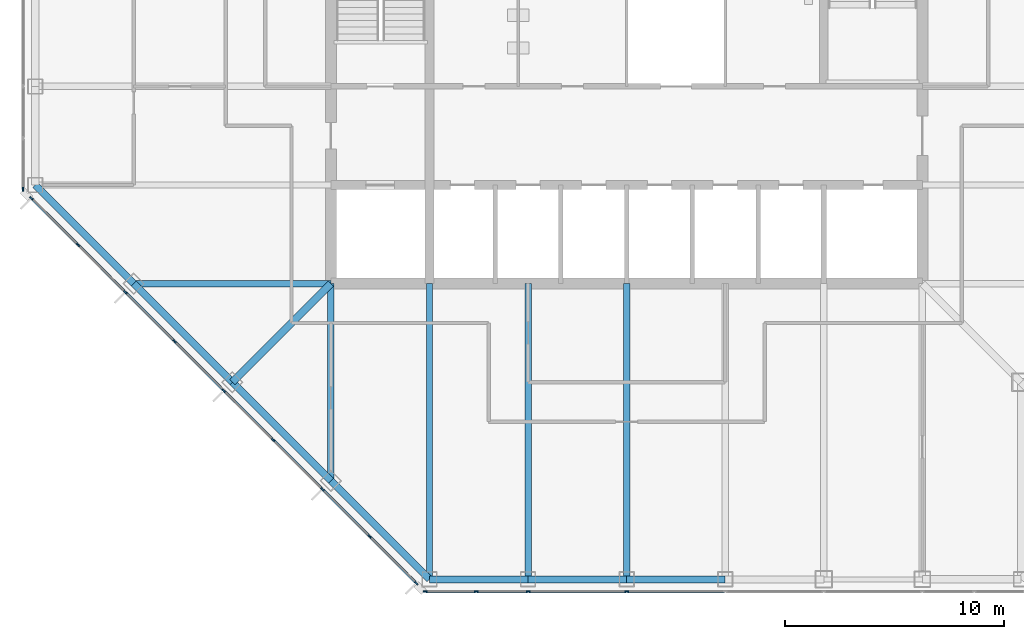
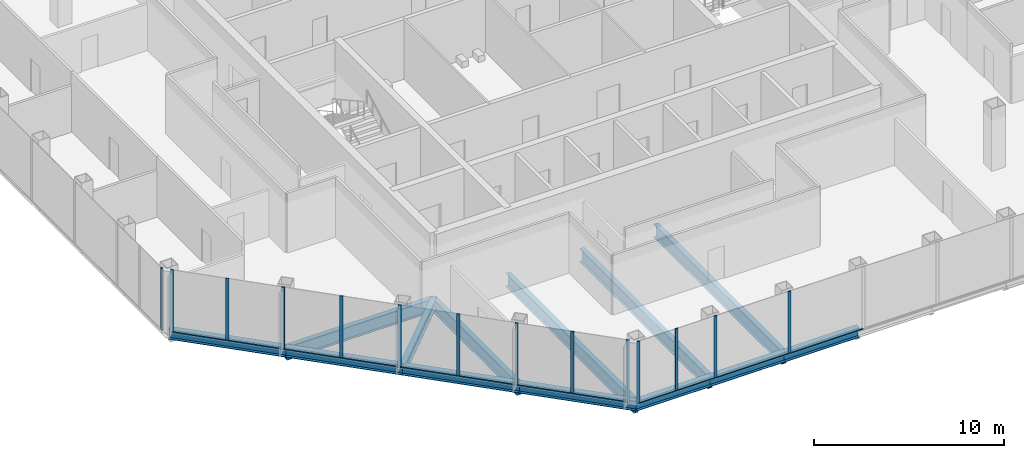
# One storey, part 2 of 13: 26 members, 13 beams, 3 elements without a shape of their own.
"""IFC4 building model written with IfcOpenShell, lengths in metres."""

from ifc_helpers import new_model, si_unit, direction, frame, origin, origin_2d, place, context, subcontext, project, spatial, rectangle, i_section, extrude, material, material_profile, profile_set, type_object, element, aggregate, save


model = new_model("IFC4")

# Units and contexts
model_context = context("Model", 3, precision=1e-05, world=origin(), true_north=direction((0.0, 1.0)))
body_context = subcontext(model_context, "Body", "Model", "MODEL_VIEW")
ifc_project = project(units=[si_unit("LENGTHUNIT", "METRE"), si_unit("AREAUNIT", "SQUARE_METRE"), si_unit("VOLUMEUNIT", "CUBIC_METRE"), si_unit("PLANEANGLEUNIT", "RADIAN"), si_unit("MASSUNIT", "GRAM", prefix="KILO")], contexts=[model_context])

# Site, building, storey
site_placement = place(None, origin())
site = spatial("IfcSite", under=ifc_project, at=site_placement, CompositionType="ELEMENT")
building_placement = place(site_placement, origin())
building = spatial("IfcBuilding", under=site, at=building_placement, Name="Corais Broadcast Tower", CompositionType="ELEMENT")
storey_placement = place(building_placement, frame((0.0, 0.0, 179.60009765625)))
storey = spatial("IfcBuildingStorey", under=building, at=storey_placement, Name="L41", CompositionType="ELEMENT", Elevation=179.60009765625)

# Beams
ifc_material_1 = material(Name="Steel ASTM A572 Grade 50", Category="steel")
ifc_material_profile_1 = material_profile(ifc_material_1, i_section(OverallWidth=0.323974609375, OverallDepth=0.611083984375, WebThickness=0.0126953125, FlangeThickness=0.01904296875, at=origin_2d()), Name="W610x155")
ifc_profile_set_1 = profile_set([ifc_material_profile_1], Name="Steel ASTM A572 Grade 50")
beam_type_1 = type_object("IfcBeamType", Name="Corner diagonal W610x155", PredefinedType="BEAM", material=ifc_profile_set_1)
beam_1_placement = place(storey_placement, frame((9.0, 9.0, -0.465576171875), z_axis=(0.707106781187, 0.707106781187, 0.0), x_axis=(-0.707106781187, 0.707106781187, 0.0)))
element("IfcBeam", 1, at=beam_1_placement, inside=storey, type_object=beam_type_1, Name="B6 C/5 to D/6", PredefinedType="BEAM", context=body_context, shape_type="SweptSolid", body=[
    extrude(i_section(OverallWidth=0.323974609375, OverallDepth=0.611083984375, WebThickness=0.0126953125, FlangeThickness=0.01904296875, at=origin_2d()), origin(), (0.0, 0.0, 1.0), 6.364013671875),
])
ifc_material_2 = material(Name="Steel ASTM A572 Grade 50", Category="steel")
ifc_material_profile_2 = material_profile(ifc_material_2, i_section(OverallWidth=0.2939453125, OverallDepth=0.85107421875, WebThickness=0.01611328125, FlangeThickness=0.02685546875, at=origin_2d()), Name="W840x226")
ifc_profile_set_2 = profile_set([ifc_material_profile_2], Name="Steel ASTM A572 Grade 50")
beam_type_2 = type_object("IfcBeamType", Name="Floor beam W840x226", PredefinedType="BEAM", material=ifc_profile_set_2)
beam_2_placement = place(storey_placement, frame((13.5, 4.5, -0.585693359375), z_axis=(0.0, 1.0, 0.0), x_axis=(-1.0, 0.0, 0.0)))
element("IfcBeam", 2, at=beam_2_placement, inside=storey, type_object=beam_type_2, Name="B1 B/6 to D/6", PredefinedType="BEAM", context=body_context, shape_type="SweptSolid", body=[
    extrude(i_section(OverallWidth=0.2939453125, OverallDepth=0.85107421875, WebThickness=0.01611328125, FlangeThickness=0.02685546875, at=origin_2d()), origin(), (0.0, 0.0, 1.0), 9.0),
])
for number, where, z_axis, x_axis, name in (
    (3, (18.0, 0.0, -0.585693359375), (0.0, 1.0, 0.0), (-1.0, 0.0, 0.0), "B1 A/7 to D/7"),
    (4, (22.5, 0.0, -0.585693359375), (0.0, 1.0, 0.0), (-1.0, 0.0, 0.0), "B1 A/8 to D/8"),
    (5, (27.0, 0.0, -0.585693359375), (0.0, 1.0, 0.0), (-1.0, 0.0, 0.0), "B1 A/9 to D/9"),
):
    element("IfcBeam", number, at=place(storey_placement, frame(where, z_axis=z_axis, x_axis=x_axis)), inside=storey, type_object=beam_type_2, Name=name, PredefinedType="BEAM", context=body_context, shape_type="SweptSolid", body=[
        extrude(i_section(OverallWidth=0.2939453125, OverallDepth=0.85107421875, WebThickness=0.01611328125, FlangeThickness=0.02685546875, at=origin_2d()), origin(), (0.0, 0.0, 1.0), 13.5),
    ])
beam_3_placement = place(storey_placement, frame((4.5, 13.5, -0.585693359375), z_axis=(1.0, 0.0, 0.0), x_axis=(0.0, 1.0, 0.0)))
element("IfcBeam", 6, at=beam_3_placement, inside=storey, type_object=beam_type_2, Name="B1 D/4 to D/6", PredefinedType="BEAM", context=body_context, shape_type="SweptSolid", body=[
    extrude(i_section(OverallWidth=0.2939453125, OverallDepth=0.85107421875, WebThickness=0.01611328125, FlangeThickness=0.02685546875, at=origin_2d()), origin(), (0.0, 0.0, 1.0), 9.0),
])

# Curtain wall, members
ifc_material_3 = material(Name="Aluminium and glass", Category="aluminium")
curtain_wall_type = type_object("IfcCurtainWallType", Name="Unitised fritted curtain wall CW2", PredefinedType="NOTDEFINED", material=ifc_material_3)
curtain_wall_1_placement = place(storey_placement, origin())
curtain_wall_1 = element("IfcCurtainWall", 7, at=curtain_wall_1_placement, inside=storey, type_object=curtain_wall_type, Name="CW2 curtain wall L41 1", PredefinedType="NOTDEFINED")
ifc_material_4 = material(Name="Aluminium 6063-T6", Category="aluminium")
ifc_material_profile_3 = material_profile(ifc_material_4, rectangle(XDim=0.06494140625, YDim=0.179931640625, at=origin_2d()), Name="Mullion CW2 65x180")
ifc_profile_set_3 = profile_set([ifc_material_profile_3], Name="Aluminium 6063-T6")
member_type_1 = type_object("IfcMemberType", Name="Mullion CW2 65x180", PredefinedType="MULLION", material=ifc_profile_set_3)
member_1_placement = place(storey_placement, frame((17.3955078125, -0.17333984375, 0.0), z_axis=(0.0, 0.0, 1.0), x_axis=(-0.707106781187, -0.707106781187, 0.0)))
member_1 = element("IfcMember", 8, at=member_1_placement, type_object=member_type_1, Name="CW2 mullion 1", PredefinedType="MULLION", context=body_context, shape_type="SweptSolid", body=[
    extrude(rectangle(XDim=0.06494140625, YDim=0.179931640625, at=origin_2d()), origin(), (0.0, 0.0, 1.0), 4.0),
])
member_2_placement = place(storey_placement, frame((15.264892578125, 1.957275390625, 0.0), z_axis=(0.0, 0.0, 1.0), x_axis=(-0.707106781187, -0.707106781187, 0.0)))
member_2 = element("IfcMember", 9, at=member_2_placement, type_object=member_type_1, Name="CW2 mullion 2", PredefinedType="MULLION", context=body_context, shape_type="SweptSolid", body=[
    extrude(rectangle(XDim=0.06494140625, YDim=0.179931640625, at=origin_2d()), origin(), (0.0, 0.0, 1.0), 4.0),
])
member_3_placement = place(storey_placement, frame((13.111083984375, 4.111083984375, 0.0), z_axis=(0.0, 0.0, 1.0), x_axis=(-0.707106781187, -0.707106781187, 0.0)))
member_3 = element("IfcMember", 10, at=member_3_placement, type_object=member_type_1, Name="CW2 mullion 3", PredefinedType="MULLION", context=body_context, shape_type="SweptSolid", body=[
    extrude(rectangle(XDim=0.06494140625, YDim=0.179931640625, at=origin_2d()), origin(), (0.0, 0.0, 1.0), 4.0),
])
member_4_placement = place(storey_placement, frame((10.861083984375, 6.361083984375, 0.0), z_axis=(0.0, 0.0, 1.0), x_axis=(-0.707106781187, -0.707106781187, 0.0)))
member_4 = element("IfcMember", 11, at=member_4_placement, type_object=member_type_1, Name="CW2 mullion 4", PredefinedType="MULLION", context=body_context, shape_type="SweptSolid", body=[
    extrude(rectangle(XDim=0.06494140625, YDim=0.179931640625, at=origin_2d()), origin(), (0.0, 0.0, 1.0), 4.0),
])
member_5_placement = place(storey_placement, frame((8.611083984375, 8.611083984375, 0.0), z_axis=(0.0, 0.0, 1.0), x_axis=(-0.707106781187, -0.707106781187, 0.0)))
member_5 = element("IfcMember", 12, at=member_5_placement, type_object=member_type_1, Name="CW2 mullion 5", PredefinedType="MULLION", context=body_context, shape_type="SweptSolid", body=[
    extrude(rectangle(XDim=0.06494140625, YDim=0.179931640625, at=origin_2d()), origin(), (0.0, 0.0, 1.0), 4.0),
])
member_6_placement = place(storey_placement, frame((6.361083984375, 10.861083984375, 0.0), z_axis=(0.0, 0.0, 1.0), x_axis=(-0.707106781187, -0.707106781187, 0.0)))
member_6 = element("IfcMember", 13, at=member_6_placement, type_object=member_type_1, Name="CW2 mullion 6", PredefinedType="MULLION", context=body_context, shape_type="SweptSolid", body=[
    extrude(rectangle(XDim=0.06494140625, YDim=0.179931640625, at=origin_2d()), origin(), (0.0, 0.0, 1.0), 4.0),
])
member_7_placement = place(storey_placement, frame((4.111083984375, 13.111083984375, 0.0), z_axis=(0.0, 0.0, 1.0), x_axis=(-0.707106781187, -0.707106781187, 0.0)))
member_7 = element("IfcMember", 14, at=member_7_placement, type_object=member_type_1, Name="CW2 mullion 7", PredefinedType="MULLION", context=body_context, shape_type="SweptSolid", body=[
    extrude(rectangle(XDim=0.06494140625, YDim=0.179931640625, at=origin_2d()), origin(), (0.0, 0.0, 1.0), 4.0),
])
member_8_placement = place(storey_placement, frame((1.957275390625, 15.264892578125, 0.0), z_axis=(0.0, 0.0, 1.0), x_axis=(-0.707106781187, -0.707106781187, 0.0)))
member_8 = element("IfcMember", 15, at=member_8_placement, type_object=member_type_1, Name="CW2 mullion 8", PredefinedType="MULLION", context=body_context, shape_type="SweptSolid", body=[
    extrude(rectangle(XDim=0.06494140625, YDim=0.179931640625, at=origin_2d()), origin(), (0.0, 0.0, 1.0), 4.0),
])
member_9_placement = place(storey_placement, frame((-0.17333984375, 17.3955078125, 0.0), z_axis=(0.0, 0.0, 1.0), x_axis=(-0.707106781187, -0.707106781187, 0.0)))
member_9 = element("IfcMember", 16, at=member_9_placement, type_object=member_type_1, Name="CW2 mullion 9", PredefinedType="MULLION", context=body_context, shape_type="SweptSolid", body=[
    extrude(rectangle(XDim=0.06494140625, YDim=0.179931640625, at=origin_2d()), origin(), (0.0, 0.0, 1.0), 4.0),
])

# Curtain wall, member
curtain_wall_2_placement = place(storey_placement, origin())
curtain_wall_2 = element("IfcCurtainWall", 17, at=curtain_wall_2_placement, inside=storey, type_object=curtain_wall_type, Name="CW2 curtain wall L41 2", PredefinedType="NOTDEFINED")
member_10_placement = place(storey_placement, frame((-0.550048828125, 17.8046875, 0.0), z_axis=(0.0, 0.0, 1.0), x_axis=(-1.0, 0.0, 0.0)))
member_10 = element("IfcMember", 18, at=member_10_placement, type_object=member_type_1, Name="CW2 mullion 1", PredefinedType="MULLION", context=body_context, shape_type="SweptSolid", body=[
    extrude(rectangle(XDim=0.06494140625, YDim=0.179931640625, at=origin_2d()), origin(), (0.0, 0.0, 1.0), 4.0),
])
aggregate(curtain_wall_2, [member_10])

# Curtain wall, members
curtain_wall_3_placement = place(storey_placement, origin())
curtain_wall_3 = element("IfcCurtainWall", 19, at=curtain_wall_3_placement, inside=storey, type_object=curtain_wall_type, Name="CW2 curtain wall L41 8", PredefinedType="NOTDEFINED")
member_11_placement = place(storey_placement, frame((27.0, -0.550048828125, 0.0), z_axis=(0.0, 0.0, 1.0), x_axis=(0.0, -1.0, 0.0)))
member_11 = element("IfcMember", 20, at=member_11_placement, type_object=member_type_1, Name="CW2 mullion 6", PredefinedType="MULLION", context=body_context, shape_type="SweptSolid", body=[
    extrude(rectangle(XDim=0.06494140625, YDim=0.179931640625, at=origin_2d()), origin(), (0.0, 0.0, 1.0), 4.0),
])
member_12_placement = place(storey_placement, frame((22.5, -0.550048828125, 0.0), z_axis=(0.0, 0.0, 1.0), x_axis=(0.0, -1.0, 0.0)))
member_12 = element("IfcMember", 21, at=member_12_placement, type_object=member_type_1, Name="CW2 mullion 7", PredefinedType="MULLION", context=body_context, shape_type="SweptSolid", body=[
    extrude(rectangle(XDim=0.06494140625, YDim=0.179931640625, at=origin_2d()), origin(), (0.0, 0.0, 1.0), 4.0),
])
member_13_placement = place(storey_placement, frame((20.135986328125, -0.550048828125, 0.0), z_axis=(0.0, 0.0, 1.0), x_axis=(0.0, -1.0, 0.0)))
member_13 = element("IfcMember", 22, at=member_13_placement, type_object=member_type_1, Name="CW2 mullion 8", PredefinedType="MULLION", context=body_context, shape_type="SweptSolid", body=[
    extrude(rectangle(XDim=0.06494140625, YDim=0.179931640625, at=origin_2d()), origin(), (0.0, 0.0, 1.0), 4.0),
])
member_14_placement = place(storey_placement, frame((17.8046875, -0.550048828125, 0.0), z_axis=(0.0, 0.0, 1.0), x_axis=(0.0, -1.0, 0.0)))
member_14 = element("IfcMember", 23, at=member_14_placement, type_object=member_type_1, Name="CW2 mullion 9", PredefinedType="MULLION", context=body_context, shape_type="SweptSolid", body=[
    extrude(rectangle(XDim=0.06494140625, YDim=0.179931640625, at=origin_2d()), origin(), (0.0, 0.0, 1.0), 4.0),
])

# Beams
ifc_material_5 = material(Name="Steel ASTM A572 Grade 50", Category="steel")
ifc_material_profile_4 = material_profile(ifc_material_5, i_section(OverallWidth=0.3291015625, OverallDepth=0.635009765625, WebThickness=0.017822265625, FlangeThickness=0.031005859375, at=origin_2d()), Name="W610x241")
ifc_profile_set_4 = profile_set([ifc_material_profile_4], Name="Steel ASTM A572 Grade 50")
beam_type_3 = type_object("IfcBeamType", Name="Spandrel W610x241", PredefinedType="BEAM", material=ifc_profile_set_4)
for number, where, z_axis, x_axis, name in (
    (24, (0.0, 18.0, -0.4775390625), (0.707106781187, -0.707106781187, 0.0), (0.707106781187, 0.707106781187, 0.0), "SB1 E/3 to D/4"),
    (25, (13.5, 4.5, -0.4775390625), (0.707106781187, -0.707106781187, 0.0), (0.707106781187, 0.707106781187, 0.0), "SB1 B/6 to A/7"),
):
    element("IfcBeam", number, at=place(storey_placement, frame(where, z_axis=z_axis, x_axis=x_axis)), inside=storey, type_object=beam_type_3, Name=name, PredefinedType="BEAM", context=body_context, shape_type="SweptSolid", body=[
        extrude(i_section(OverallWidth=0.3291015625, OverallDepth=0.635009765625, WebThickness=0.017822265625, FlangeThickness=0.031005859375, at=origin_2d()), origin(), (0.0, 0.0, 1.0), 6.364013671875),
    ])
for number, where, z_axis, x_axis, name in (
    (26, (18.0, 0.0, -0.4775390625), (1.0, 0.0, 0.0), (0.0, 1.0, 0.0), "SB1 A/7 to A/8"),
    (27, (22.5, 0.0, -0.4775390625), (1.0, 0.0, 0.0), (0.0, 1.0, 0.0), "SB1 A/8 to A/9"),
    (28, (27.0, 0.0, -0.4775390625), (1.0, 0.0, 0.0), (0.0, 1.0, 0.0), "SB1 A/9 to A/10"),
):
    element("IfcBeam", number, at=place(storey_placement, frame(where, z_axis=z_axis, x_axis=x_axis)), inside=storey, type_object=beam_type_3, Name=name, PredefinedType="BEAM", context=body_context, shape_type="SweptSolid", body=[
        extrude(i_section(OverallWidth=0.3291015625, OverallDepth=0.635009765625, WebThickness=0.017822265625, FlangeThickness=0.031005859375, at=origin_2d()), origin(), (0.0, 0.0, 1.0), 4.5),
    ])
for number, where, z_axis, x_axis, name in (
    (29, (4.5, 13.5, -0.4775390625), (0.707106781187, -0.707106781187, 0.0), (0.707106781187, 0.707106781187, 0.0), "SB1 D/4 to C/5"),
    (30, (9.0, 9.0, -0.4775390625), (0.707106781187, -0.707106781187, 0.0), (0.707106781187, 0.707106781187, 0.0), "SB1 C/5 to B/6"),
):
    element("IfcBeam", number, at=place(storey_placement, frame(where, z_axis=z_axis, x_axis=x_axis)), inside=storey, type_object=beam_type_3, Name=name, PredefinedType="BEAM", context=body_context, shape_type="SweptSolid", body=[
        extrude(i_section(OverallWidth=0.3291015625, OverallDepth=0.635009765625, WebThickness=0.017822265625, FlangeThickness=0.031005859375, at=origin_2d()), origin(), (0.0, 0.0, 1.0), 6.364013671875),
    ])

# Member
ifc_material_6 = material(Name="Aluminium 6063-T6", Category="aluminium")
ifc_material_profile_5 = material_profile(ifc_material_6, rectangle(XDim=0.1298828125, YDim=0.06494140625, at=origin_2d()), Name="Transom CW2 65x130")
ifc_profile_set_5 = profile_set([ifc_material_profile_5], Name="Aluminium 6063-T6")
member_type_2 = type_object("IfcMemberType", Name="Transom CW2 65x130", PredefinedType="USERDEFINED", material=ifc_profile_set_5)
member_15_placement = place(storey_placement, frame((17.37255859375, -0.150390625, 0.032470703125), z_axis=(-0.707106781187, 0.707106781187, 0.0), x_axis=(-0.707106781187, -0.707106781187, 0.0)))
member_15 = element("IfcMember", 31, at=member_15_placement, type_object=member_type_2, Name="CW2 transom 1.1", ObjectType="TRANSOM", PredefinedType="USERDEFINED", context=body_context, shape_type="SweptSolid", body=[
    extrude(rectangle(XDim=0.1298828125, YDim=0.06494140625, at=origin_2d()), origin(), (0.0, 0.0, 1.0), 2.9482421875),
])

member_16_placement = place(storey_placement, frame((15.241943359375, 1.980224609375, 0.032470703125), z_axis=(-0.707106781187, 0.707106781187, 0.0), x_axis=(-0.707106781187, -0.707106781187, 0.0)))
member_16 = element("IfcMember", 32, at=member_16_placement, type_object=member_type_2, Name="CW2 transom 2.1", ObjectType="TRANSOM", PredefinedType="USERDEFINED", context=body_context, shape_type="SweptSolid", body=[
    extrude(rectangle(XDim=0.1298828125, YDim=0.06494140625, at=origin_2d()), origin(), (0.0, 0.0, 1.0), 2.98095703125),
])

member_17_placement = place(storey_placement, frame((13.088134765625, 4.134033203125, 0.032470703125), z_axis=(-0.707106781187, 0.707106781187, 0.0), x_axis=(-0.707106781187, -0.707106781187, 0.0)))
member_17 = element("IfcMember", 33, at=member_17_placement, type_object=member_type_2, Name="CW2 transom 3.1", ObjectType="TRANSOM", PredefinedType="USERDEFINED", context=body_context, shape_type="SweptSolid", body=[
    extrude(rectangle(XDim=0.1298828125, YDim=0.06494140625, at=origin_2d()), origin(), (0.0, 0.0, 1.0), 3.1171875),
])

member_18_placement = place(storey_placement, frame((10.838134765625, 6.384033203125, 0.032470703125), z_axis=(-0.707106781187, 0.707106781187, 0.0), x_axis=(-0.707106781187, -0.707106781187, 0.0)))
member_18 = element("IfcMember", 34, at=member_18_placement, type_object=member_type_2, Name="CW2 transom 4.1", ObjectType="TRANSOM", PredefinedType="USERDEFINED", context=body_context, shape_type="SweptSolid", body=[
    extrude(rectangle(XDim=0.1298828125, YDim=0.06494140625, at=origin_2d()), origin(), (0.0, 0.0, 1.0), 3.1171875),
])

member_19_placement = place(storey_placement, frame((8.588134765625, 8.634033203125, 0.032470703125), z_axis=(-0.707106781187, 0.707106781187, 0.0), x_axis=(-0.707106781187, -0.707106781187, 0.0)))
member_19 = element("IfcMember", 35, at=member_19_placement, type_object=member_type_2, Name="CW2 transom 5.1", ObjectType="TRANSOM", PredefinedType="USERDEFINED", context=body_context, shape_type="SweptSolid", body=[
    extrude(rectangle(XDim=0.1298828125, YDim=0.06494140625, at=origin_2d()), origin(), (0.0, 0.0, 1.0), 3.1171875),
])

member_20_placement = place(storey_placement, frame((6.338134765625, 10.884033203125, 0.032470703125), z_axis=(-0.707106781187, 0.707106781187, 0.0), x_axis=(-0.707106781187, -0.707106781187, 0.0)))
member_20 = element("IfcMember", 36, at=member_20_placement, type_object=member_type_2, Name="CW2 transom 6.1", ObjectType="TRANSOM", PredefinedType="USERDEFINED", context=body_context, shape_type="SweptSolid", body=[
    extrude(rectangle(XDim=0.1298828125, YDim=0.06494140625, at=origin_2d()), origin(), (0.0, 0.0, 1.0), 3.1171875),
])

member_21_placement = place(storey_placement, frame((4.088134765625, 13.134033203125, 0.032470703125), z_axis=(-0.707065828661, 0.70714773134, 0.0), x_axis=(-0.70714773134, -0.707065828661, 0.0)))
member_21 = element("IfcMember", 37, at=member_21_placement, type_object=member_type_2, Name="CW2 transom 7.1", ObjectType="TRANSOM", PredefinedType="USERDEFINED", context=body_context, shape_type="SweptSolid", body=[
    extrude(rectangle(XDim=0.1298828125, YDim=0.06494140625, at=origin_2d()), origin(), (0.0, 0.0, 1.0), 2.98095703125),
])

member_22_placement = place(storey_placement, frame((1.934326171875, 15.287841796875, 0.032470703125), z_axis=(-0.707106781187, 0.707106781187, 0.0), x_axis=(-0.707106781187, -0.707106781187, 0.0)))
member_22 = element("IfcMember", 38, at=member_22_placement, type_object=member_type_2, Name="CW2 transom 8.1", ObjectType="TRANSOM", PredefinedType="USERDEFINED", context=body_context, shape_type="SweptSolid", body=[
    extrude(rectangle(XDim=0.1298828125, YDim=0.06494140625, at=origin_2d()), origin(), (0.0, 0.0, 1.0), 2.9482421875),
])

aggregate(curtain_wall_1, [member_1, member_2, member_3, member_4, member_5, member_6, member_7, member_8, member_9, member_15, member_16, member_17, member_18, member_19, member_20, member_21, member_22])

member_23_placement = place(storey_placement, frame((31.467529296875, -0.550048828125, 0.032470703125), z_axis=(-1.0, 0.0, 0.0), x_axis=(0.0, -1.0, 0.0)))
member_23 = element("IfcMember", 39, at=member_23_placement, type_object=member_type_2, Name="CW2 transom 5.1", ObjectType="TRANSOM", PredefinedType="USERDEFINED", context=body_context, shape_type="SweptSolid", body=[
    extrude(rectangle(XDim=0.1298828125, YDim=0.06494140625, at=origin_2d()), origin(), (0.0, 0.0, 1.0), 4.43505859375),
])

member_24_placement = place(storey_placement, frame((26.967529296875, -0.550048828125, 0.032470703125), z_axis=(-1.0, 0.0, 0.0), x_axis=(0.0, -1.0, 0.0)))
member_24 = element("IfcMember", 40, at=member_24_placement, type_object=member_type_2, Name="CW2 transom 6.1", ObjectType="TRANSOM", PredefinedType="USERDEFINED", context=body_context, shape_type="SweptSolid", body=[
    extrude(rectangle(XDim=0.1298828125, YDim=0.06494140625, at=origin_2d()), origin(), (0.0, 0.0, 1.0), 4.43505859375),
])

member_25_placement = place(storey_placement, frame((22.467529296875, -0.550048828125, 0.032470703125), z_axis=(-1.0, 0.0, 0.0), x_axis=(0.0, -1.0, 0.0)))
member_25 = element("IfcMember", 41, at=member_25_placement, type_object=member_type_2, Name="CW2 transom 7.1", ObjectType="TRANSOM", PredefinedType="USERDEFINED", context=body_context, shape_type="SweptSolid", body=[
    extrude(rectangle(XDim=0.1298828125, YDim=0.06494140625, at=origin_2d()), origin(), (0.0, 0.0, 1.0), 2.298828125),
])

member_26_placement = place(storey_placement, frame((20.103515625, -0.550048828125, 0.032470703125), z_axis=(-1.0, 0.0, 0.0), x_axis=(0.0, -1.0, 0.0)))
member_26 = element("IfcMember", 42, at=member_26_placement, type_object=member_type_2, Name="CW2 transom 8.1", ObjectType="TRANSOM", PredefinedType="USERDEFINED", context=body_context, shape_type="SweptSolid", body=[
    extrude(rectangle(XDim=0.1298828125, YDim=0.06494140625, at=origin_2d()), origin(), (0.0, 0.0, 1.0), 2.266357421875),
])

aggregate(curtain_wall_3, [member_11, member_12, member_13, member_14, member_23, member_24, member_25, member_26])

save(model, "model.ifc")
